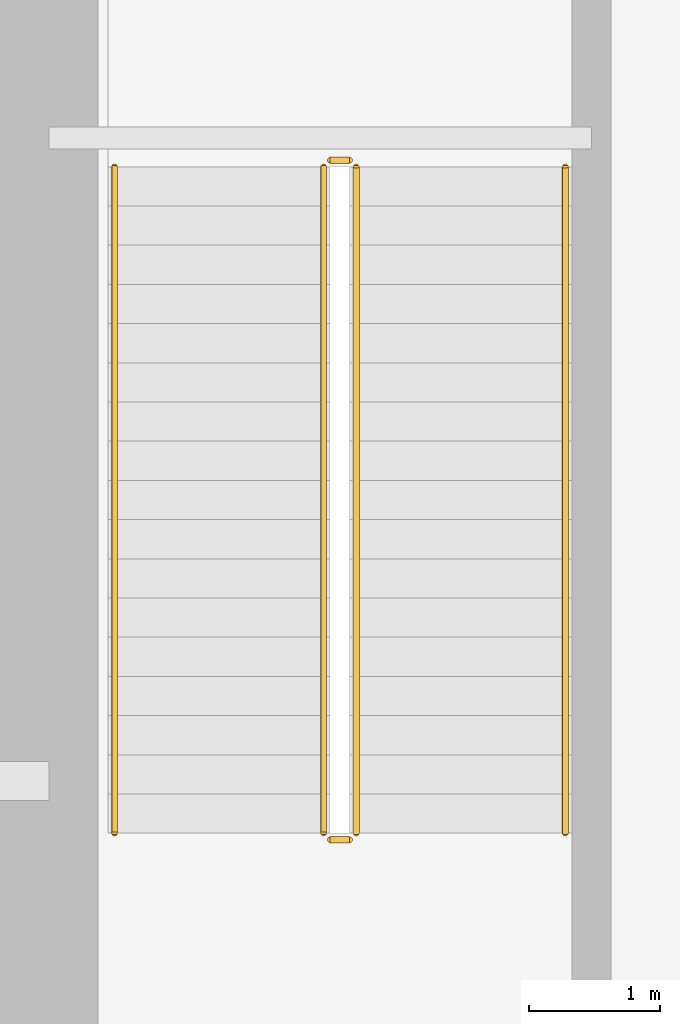
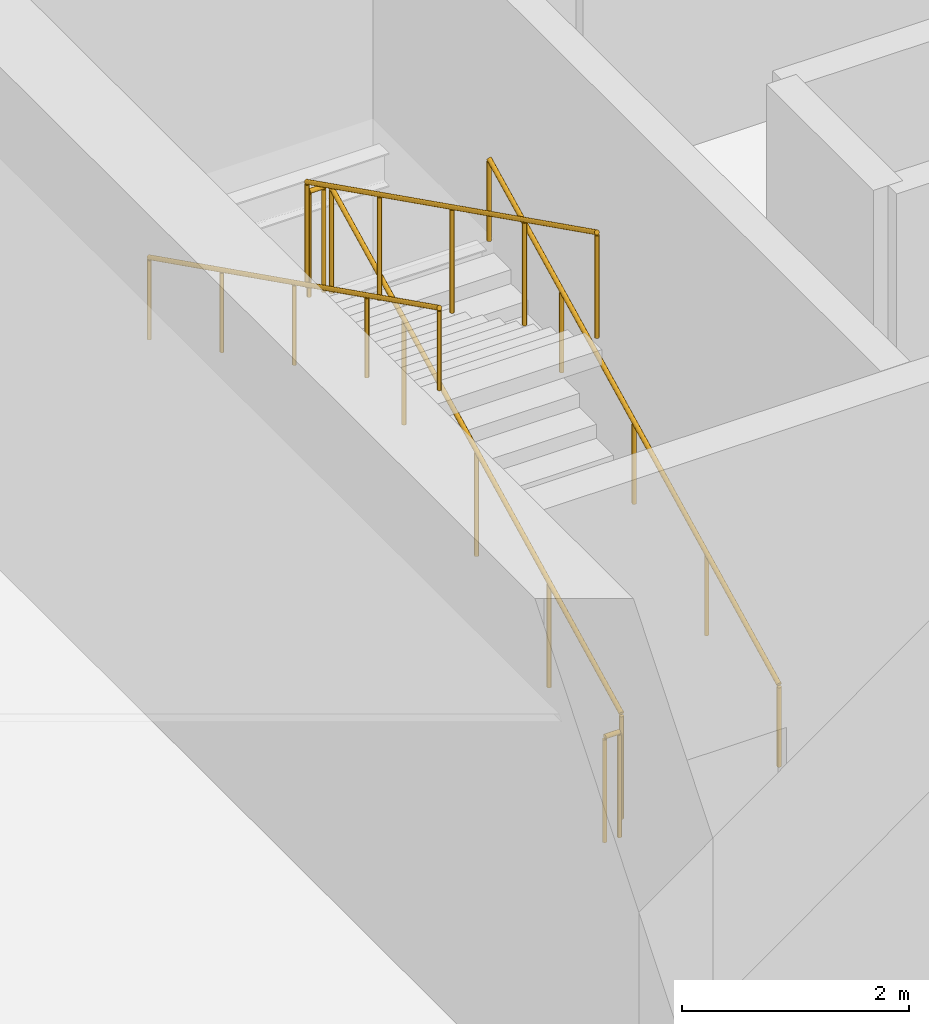
# One storey, part 34 of 43: 6 railings.
"""IFC4 building model written with IfcOpenShell, lengths in metres."""

from ifc_helpers import new_model, si_unit, direction, frame, origin, origin_2d, place, context, subcontext, project, spatial, circle, extrude, material, type_object, element, save


model = new_model("IFC4")

# Units and contexts
model_context = context("Model", 3, precision=1e-05, world=origin(), true_north=direction((0.0, 1.0)))
body_context = subcontext(model_context, "Body", "Model", "MODEL_VIEW")
ifc_project = project(units=[si_unit("LENGTHUNIT", "METRE"), si_unit("AREAUNIT", "SQUARE_METRE"), si_unit("VOLUMEUNIT", "CUBIC_METRE"), si_unit("PLANEANGLEUNIT", "RADIAN"), si_unit("MASSUNIT", "GRAM", prefix="KILO")], contexts=[model_context])

# Site, building, storey
site_placement = place(None, origin())
site = spatial("IfcSite", under=ifc_project, at=site_placement, CompositionType="ELEMENT")
building_placement = place(site_placement, origin())
building = spatial("IfcBuilding", under=site, at=building_placement, Name="Punatoya Terracotta Tower", CompositionType="ELEMENT")
storey_placement = place(building_placement, frame((0.0, 0.0, 6.0)))
storey = spatial("IfcBuildingStorey", under=building, at=storey_placement, Name="L01", CompositionType="ELEMENT", Elevation=6.0)

# Railings
ifc_material = material(Name="Steel S355", Category="steel")
railing_type_1 = type_object("IfcRailingType", Name="RLG-GRD-1150", PredefinedType="GUARDRAIL", material=ifc_material)
railing_1_placement = place(storey_placement, frame((-7.85009765625, -3.800048828125, 0.14990234375)))
element("IfcRailing", 1, at=railing_1_placement, inside=storey, type_object=railing_type_1, Name="L01 ST-1 stair guard 1", PredefinedType="GUARDRAIL", context=body_context, shape_type="SweptSolid", body=[
    extrude(circle(Radius=0.02392578125, at=origin_2d()), frame((0.0, 0.0, 1.1259765625), z_axis=(0.0, 0.894427191, 0.4472135955), x_axis=(-1.0, 0.0, 0.0)), (0.0, 0.0, 1.0), 5.7021484375),
    extrude(circle(Radius=0.02099609375, at=origin_2d()), origin(), (0.0, 0.0, 1.0), 1.101806640625),
    extrude(circle(Radius=0.02099609375, at=origin_2d()), frame((0.0, 1.27490234375, 0.637451171875)), (0.0, 0.0, 1.0), 1.101806640625),
    extrude(circle(Radius=0.02099609375, at=origin_2d()), frame((0.0, 2.550048828125, 1.27490234375)), (0.0, 0.0, 1.0), 1.101806640625),
    extrude(circle(Radius=0.02099609375, at=origin_2d()), frame((0.0, 3.8251953125, 1.91259765625)), (0.0, 0.0, 1.0), 1.101806640625),
    extrude(circle(Radius=0.02099609375, at=origin_2d()), frame((0.0, 5.10009765625, 2.550048828125)), (0.0, 0.0, 1.0), 1.101806640625),
])
railing_2_placement = place(storey_placement, frame((-7.89990234375, 1.35009765625, 2.699951171875)))
element("IfcRailing", 2, at=railing_2_placement, inside=storey, type_object=railing_type_1, Name="L01 ST-1 stair guard 2", PredefinedType="GUARDRAIL", context=body_context, shape_type="SweptSolid", body=[
    extrude(circle(Radius=0.02392578125, at=origin_2d()), frame((0.0, 0.0, 1.1259765625), z_axis=(-1.0, 0.0, 0.0), x_axis=(0.0, -1.0, 0.0)), (0.0, 0.0, 1.0), 0.150146484375),
    extrude(circle(Radius=0.02099609375, at=origin_2d()), origin(), (0.0, 0.0, 1.0), 1.101806640625),
    extrude(circle(Radius=0.02099609375, at=origin_2d()), frame((-0.150146484375, 0.0, 0.0)), (0.0, 0.0, 1.0), 1.101806640625),
])
railing_3_placement = place(storey_placement, frame((-8.10009765625, 1.300048828125, 2.85009765625)))
element("IfcRailing", 3, at=railing_3_placement, inside=storey, type_object=railing_type_1, Name="L01 ST-1 stair guard 3", PredefinedType="GUARDRAIL", context=body_context, shape_type="SweptSolid", body=[
    extrude(circle(Radius=0.02392578125, at=origin_2d()), frame((0.0, 0.0, 1.1259765625), z_axis=(0.0, -0.89444431709, 0.44717934168), x_axis=(1.0, 0.0, 0.0)), (0.0, 0.0, 1.0), 5.701904296875),
    extrude(circle(Radius=0.02099609375, at=origin_2d()), origin(), (0.0, 0.0, 1.0), 1.101806640625),
    extrude(circle(Radius=0.02099609375, at=origin_2d()), frame((0.0, -1.27490234375, 0.637451171875)), (0.0, 0.0, 1.0), 1.101806640625),
    extrude(circle(Radius=0.02099609375, at=origin_2d()), frame((0.0, -2.550048828125, 1.27490234375)), (0.0, 0.0, 1.0), 1.101806640625),
    extrude(circle(Radius=0.02099609375, at=origin_2d()), frame((0.0, -3.8251953125, 1.912353515625)), (0.0, 0.0, 1.0), 1.101806640625),
    extrude(circle(Radius=0.02099609375, at=origin_2d()), frame((0.0, -5.10009765625, 2.5498046875)), (0.0, 0.0, 1.0), 1.101806640625),
])
railing_4_placement = place(storey_placement, frame((-7.89990234375, -3.85009765625, 0.0)))
element("IfcRailing", 4, at=railing_4_placement, inside=storey, type_object=railing_type_1, Name="L01 ST-1 stair guard 4", PredefinedType="GUARDRAIL", context=body_context, shape_type="SweptSolid", body=[
    extrude(circle(Radius=0.02392578125, at=origin_2d()), frame((0.0, 0.0, 1.1259765625), z_axis=(-1.0, 0.0, 0.0), x_axis=(0.0, -1.0, 0.0)), (0.0, 0.0, 1.0), 0.150146484375),
    extrude(circle(Radius=0.02099609375, at=origin_2d()), origin(), (0.0, 0.0, 1.0), 1.101806640625),
    extrude(circle(Radius=0.02099609375, at=origin_2d()), frame((-0.150146484375, 0.0, 0.0)), (0.0, 0.0, 1.0), 1.101806640625),
])
railing_type_2 = type_object("IfcRailingType", Name="RLG-HND-900", PredefinedType="HANDRAIL", material=ifc_material)
railing_5_placement = place(storey_placement, frame((-6.25, -3.800048828125, 0.14990234375)))
element("IfcRailing", 5, at=railing_5_placement, inside=storey, type_object=railing_type_2, Name="L01 ST-1 stair handrail 1", PredefinedType="HANDRAIL", context=body_context, shape_type="SweptSolid", body=[
    extrude(circle(Radius=0.02392578125, at=origin_2d()), frame((0.0, 0.0, 0.8759765625), z_axis=(0.0, 0.894427191, 0.4472135955), x_axis=(-1.0, 0.0, 0.0)), (0.0, 0.0, 1.0), 5.7021484375),
    extrude(circle(Radius=0.02099609375, at=origin_2d()), origin(), (0.0, 0.0, 1.0), 0.851806640625),
    extrude(circle(Radius=0.02099609375, at=origin_2d()), frame((0.0, 1.27490234375, 0.637451171875)), (0.0, 0.0, 1.0), 0.851806640625),
    extrude(circle(Radius=0.02099609375, at=origin_2d()), frame((0.0, 2.550048828125, 1.27490234375)), (0.0, 0.0, 1.0), 0.851806640625),
    extrude(circle(Radius=0.02099609375, at=origin_2d()), frame((0.0, 3.8251953125, 1.91259765625)), (0.0, 0.0, 1.0), 0.851806640625),
    extrude(circle(Radius=0.02099609375, at=origin_2d()), frame((0.0, 5.10009765625, 2.550048828125)), (0.0, 0.0, 1.0), 0.851806640625),
])
railing_6_placement = place(storey_placement, frame((-9.699951171875, 1.300048828125, 2.85009765625)))
element("IfcRailing", 6, at=railing_6_placement, inside=storey, type_object=railing_type_2, Name="L01 ST-1 stair handrail 2", PredefinedType="HANDRAIL", context=body_context, shape_type="SweptSolid", body=[
    extrude(circle(Radius=0.02392578125, at=origin_2d()), frame((0.0, 0.0, 0.8759765625), z_axis=(0.0, -0.89444431709, 0.44717934168), x_axis=(1.0, 0.0, 0.0)), (0.0, 0.0, 1.0), 5.701904296875),
    extrude(circle(Radius=0.02099609375, at=origin_2d()), origin(), (0.0, 0.0, 1.0), 0.851806640625),
    extrude(circle(Radius=0.02099609375, at=origin_2d()), frame((0.0, -1.27490234375, 0.637451171875)), (0.0, 0.0, 1.0), 0.851806640625),
    extrude(circle(Radius=0.02099609375, at=origin_2d()), frame((0.0, -2.550048828125, 1.27490234375)), (0.0, 0.0, 1.0), 0.851806640625),
    extrude(circle(Radius=0.02099609375, at=origin_2d()), frame((0.0, -3.8251953125, 1.912353515625)), (0.0, 0.0, 1.0), 0.851806640625),
    extrude(circle(Radius=0.02099609375, at=origin_2d()), frame((0.0, -5.10009765625, 2.5498046875)), (0.0, 0.0, 1.0), 0.851806640625),
])

save(model, "model.ifc")
